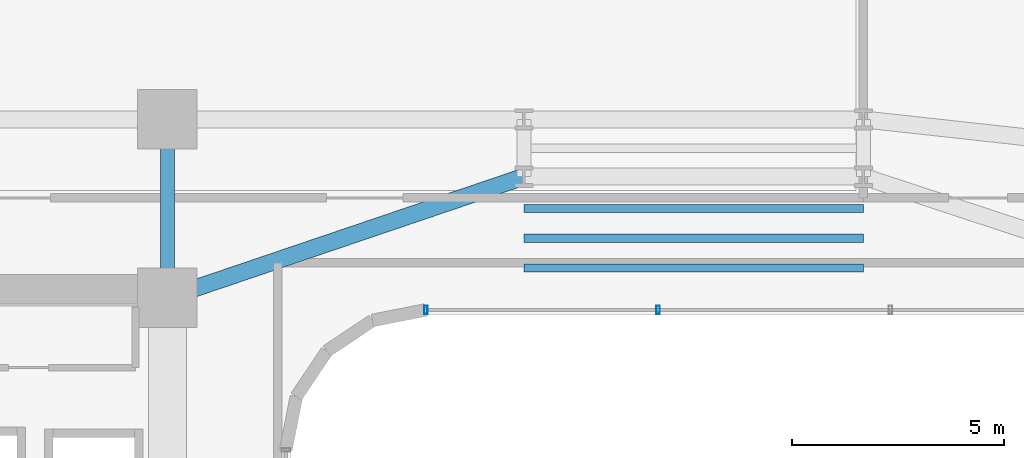
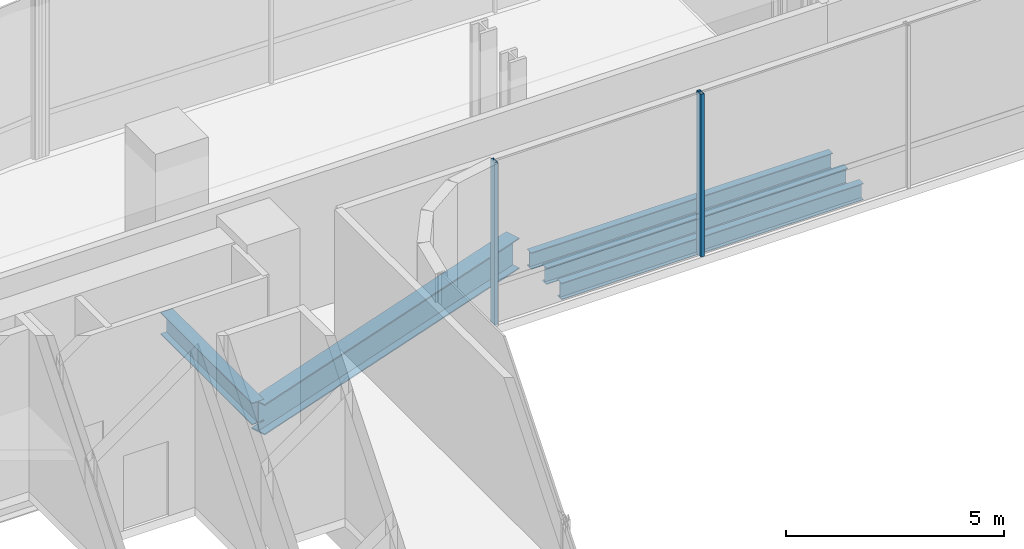
# One storey, part 13 of 39: 5 beams, 2 members, 1 element without a shape of its own.
"""IFC4 building model written with IfcOpenShell, lengths in metres."""

from ifc_helpers import new_model, si_unit, direction, frame, origin, origin_2d, place, context, subcontext, project, spatial, hollow_rectangle, i_section, extrude, source, transform, mapped, material, material_profile, profile_set, type_object, element, aggregate, save


model = new_model("IFC4")

# Units and contexts
model_context = context("Model", 3, precision=1e-05, world=origin(), true_north=direction((0.0, 1.0)))
body_context = subcontext(model_context, "Body", "Model", "MODEL_VIEW")
ifc_project = project(units=[si_unit("LENGTHUNIT", "METRE"), si_unit("AREAUNIT", "SQUARE_METRE"), si_unit("VOLUMEUNIT", "CUBIC_METRE"), si_unit("PLANEANGLEUNIT", "RADIAN"), si_unit("MASSUNIT", "GRAM", prefix="KILO")], contexts=[model_context])

# Site, building, storey
site_placement = place(None, origin())
site = spatial("IfcSite", under=ifc_project, at=site_placement, CompositionType="ELEMENT")
building_placement = place(site_placement, origin())
building = spatial("IfcBuilding", under=site, at=building_placement, Name="Valdorenza Pilgrim Sanctuary Tower", CompositionType="ELEMENT")
storey_placement = place(building_placement, frame((0.0, 0.0, 96.300048828125)))
storey = spatial("IfcBuildingStorey", under=building, at=storey_placement, Name="L24", CompositionType="ELEMENT", Elevation=96.300048828125)

# Beams
ifc_material_1 = material(Name="Steel ASTM A992 Grade 50", Category="steel")
ifc_material_profile_1 = material_profile(ifc_material_1, i_section(OverallWidth=0.323974609375, OverallDepth=0.611083984375, WebThickness=0.0126953125, FlangeThickness=0.01904296875, at=origin_2d()), Name="W24X104")
ifc_profile_set_1 = profile_set([ifc_material_profile_1], Name="Steel ASTM A992 Grade 50")
beam_type_1 = type_object("IfcBeamType", Name="STR-BM-GRD-W24B", PredefinedType="BEAM", material=ifc_profile_set_1)
shared_shape_1 = source(origin(), body_context, "Body", "SweptSolid", [
    extrude(i_section(OverallWidth=0.323974609375, OverallDepth=0.611083984375, WebThickness=0.0126953125, FlangeThickness=0.01904296875, at=origin_2d()), origin(), (0.0, 0.0, 1.0), 4.199951171875),
])
beam_1_placement = place(storey_placement, frame((-12.39990234375, 10.60009765625, -0.545654296875), z_axis=(0.0, 1.0, 0.0), x_axis=(-1.0, 0.0, 0.0)))
element("IfcBeam", 1, at=beam_1_placement, inside=storey, type_object=beam_type_1, Name="L24 Core Tie Girder CA-E-N1N2", PredefinedType="BEAM", context=body_context, shape_type="MappedRepresentation", body=[
    mapped(shared_shape_1, transform((0.0, 0.0, 0.0), x_axis=(1.0, 0.0, 0.0), y_axis=(0.0, 1.0, 0.0), z_axis=(0.0, 0.0, 1.0), scale=1.0)),
])
ifc_material_profile_2 = material_profile(ifc_material_1, i_section(OverallWidth=0.39990234375, OverallDepth=0.862060546875, WebThickness=0.019775390625, FlangeThickness=0.032470703125, at=origin_2d()), Name="W33X221")
ifc_profile_set_2 = profile_set([ifc_material_profile_2], Name="Steel ASTM A992 Grade 50")
beam_type_2 = type_object("IfcBeamType", Name="STR-BM-GRD-W33", PredefinedType="BEAM", material=ifc_profile_set_2)
shared_shape_2 = source(origin(), body_context, "Body", "SweptSolid", [
    extrude(i_section(OverallWidth=0.39990234375, OverallDepth=0.862060546875, WebThickness=0.019775390625, FlangeThickness=0.032470703125, at=origin_2d()), origin(), (0.0, 0.0, 1.0), 8.8701171875),
])
beam_2_placement = place(storey_placement, frame((-12.39990234375, 10.60009765625, -0.671142578125), z_axis=(0.946982588361, 0.321284885018, 0.0), x_axis=(-0.321284885018, 0.946982588361, 0.0)))
element("IfcBeam", 2, at=beam_2_placement, inside=storey, type_object=beam_type_2, Name="L24 Floor Girder KNK-G1", PredefinedType="BEAM", context=body_context, shape_type="MappedRepresentation", body=[
    mapped(shared_shape_2, transform((0.0, 0.0, 0.0), x_axis=(1.0, 0.0, 0.0), y_axis=(0.0, 1.0, 0.0), z_axis=(0.0, 0.0, 1.0), scale=1.0)),
])
ifc_material_profile_3 = material_profile(ifc_material_1, i_section(OverallWidth=0.193115234375, OverallDepth=0.466064453125, WebThickness=0.011474609375, FlangeThickness=0.01904296875, at=origin_2d()), Name="W18X65")
ifc_profile_set_3 = profile_set([ifc_material_profile_3], Name="Steel ASTM A992 Grade 50")
beam_type_3 = type_object("IfcBeamType", Name="STR-BM-JST-W18A", PredefinedType="JOIST", material=ifc_profile_set_3)
shared_shape_3 = source(origin(), body_context, "Body", "SweptSolid", [
    extrude(i_section(OverallWidth=0.193115234375, OverallDepth=0.466064453125, WebThickness=0.011474609375, FlangeThickness=0.01904296875, at=origin_2d()), origin(), (0.0, 0.0, 1.0), 8.0),
])
for number, where, z_axis, x_axis, name in (
    (3, (-4.0, 11.300048828125, -0.47314453125), (1.0, 0.0, 0.0), (0.0, 1.0, 0.0), "L24 Knuckle Composite Joist JST-KNK-1"),
    (4, (-4.0, 12.0, -0.47314453125), (1.0, 0.0, 0.0), (0.0, 1.0, 0.0), "L24 Knuckle Composite Joist JST-KNK-2"),
    (5, (-4.0, 12.699951171875, -0.47314453125), (1.0, 0.0, 0.0), (0.0, 1.0, 0.0), "L24 Knuckle Composite Joist JST-KNK-3"),
):
    element("IfcBeam", number, at=place(storey_placement, frame(where, z_axis=z_axis, x_axis=x_axis)), inside=storey, type_object=beam_type_3, Name=name, PredefinedType="JOIST", context=body_context, shape_type="MappedRepresentation", body=[
        mapped(shared_shape_3, transform((0.0, 0.0, 0.0), x_axis=(1.0, 0.0, 0.0), y_axis=(0.0, 1.0, 0.0), z_axis=(0.0, 0.0, 1.0), scale=1.0)),
    ])

# Curtain wall, members
ifc_material_2 = material(Name="Curtain-wall IGU glazing", Category="glass")
curtain_wall_type = type_object("IfcCurtainWallType", Name="CW-SYS-02", PredefinedType="NOTDEFINED", material=ifc_material_2)
curtain_wall_placement = place(storey_placement, origin())
curtain_wall = element("IfcCurtainWall", 6, at=curtain_wall_placement, inside=storey, type_object=curtain_wall_type, Name="L24 Curtain Wall CW-L24-1-36", PredefinedType="NOTDEFINED")
ifc_material_3 = material(Name="Anodised aluminium AW-6060", Category="aluminium")
ifc_material_profile_4 = material_profile(ifc_material_3, hollow_rectangle(XDim=0.0849609375, YDim=0.199951171875, WallThickness=0.0048828125, at=origin_2d()), Name="ALU-M 200x85x5")
ifc_profile_set_4 = profile_set([ifc_material_profile_4], Name="Anodised aluminium AW-6060")
member_type = type_object("IfcMemberType", Name="CW-MUL-02", PredefinedType="MULLION", material=ifc_profile_set_4)
shared_shape_4 = source(origin(), body_context, "Body", "SweptSolid", [
    extrude(hollow_rectangle(XDim=0.0849609375, YDim=0.199951171875, WallThickness=0.0048828125, at=origin_2d()), origin(), (0.0, 0.0, 1.0), 4.56005859375),
])
member_1_placement = place(storey_placement, frame((-0.8369140625, 10.31005859375, 0.0), z_axis=(0.0, 0.0, 1.0), x_axis=(-1.0, 0.0, 0.0)))
member_1 = element("IfcMember", 7, at=member_1_placement, type_object=member_type, Name="CW-L24-1-36 Mullion 3", PredefinedType="MULLION", context=body_context, shape_type="MappedRepresentation", body=[
    mapped(shared_shape_4, transform((0.0, 0.0, 0.0), x_axis=(1.0, 0.0, 0.0), y_axis=(0.0, 1.0, 0.0), z_axis=(0.0, 0.0, 1.0), scale=1.0)),
])
member_2_placement = place(storey_placement, frame((-6.310791015625, 10.31005859375, 0.0), z_axis=(0.0, 0.0, 1.0), x_axis=(-1.0, 0.0, 0.0)))
member_2 = element("IfcMember", 8, at=member_2_placement, type_object=member_type, Name="CW-L24-1-36 Mullion 4", PredefinedType="MULLION", context=body_context, shape_type="MappedRepresentation", body=[
    mapped(shared_shape_4, transform((0.0, 0.0, 0.0), x_axis=(1.0, 0.0, 0.0), y_axis=(0.0, 1.0, 0.0), z_axis=(0.0, 0.0, 1.0), scale=1.0)),
])
aggregate(curtain_wall, [member_1, member_2])

save(model, "model.ifc")
